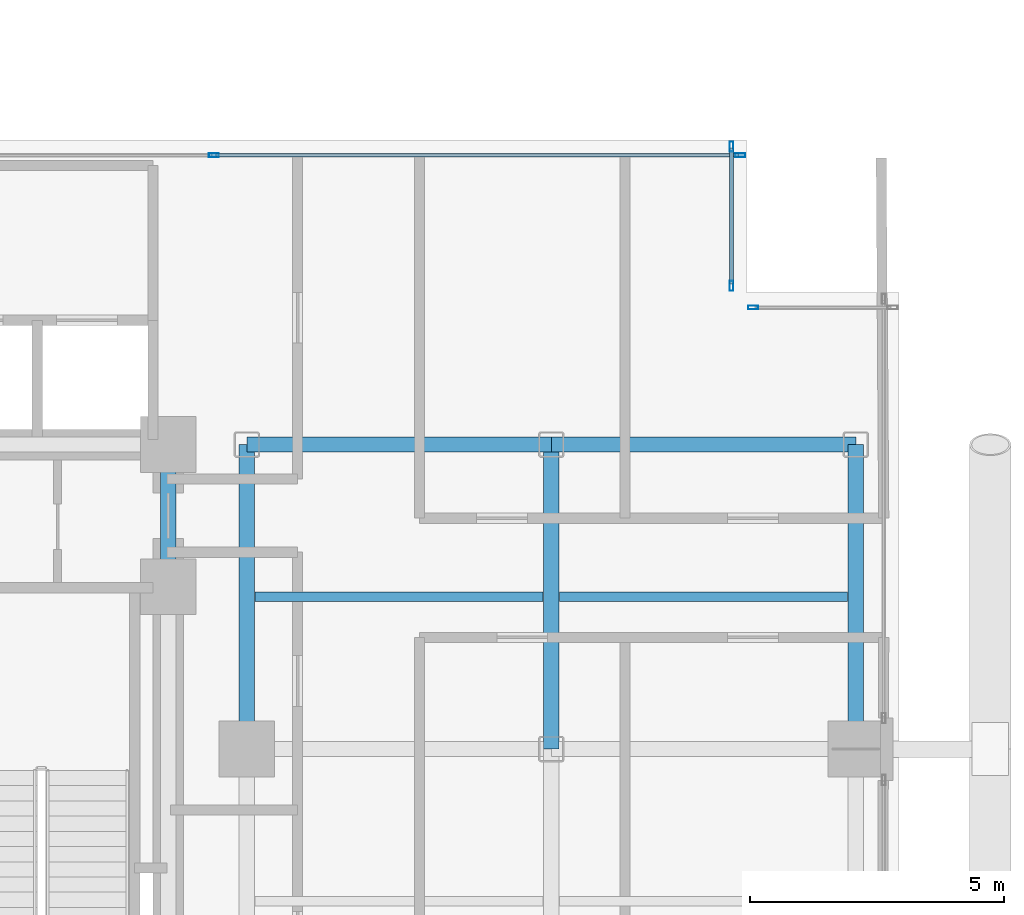
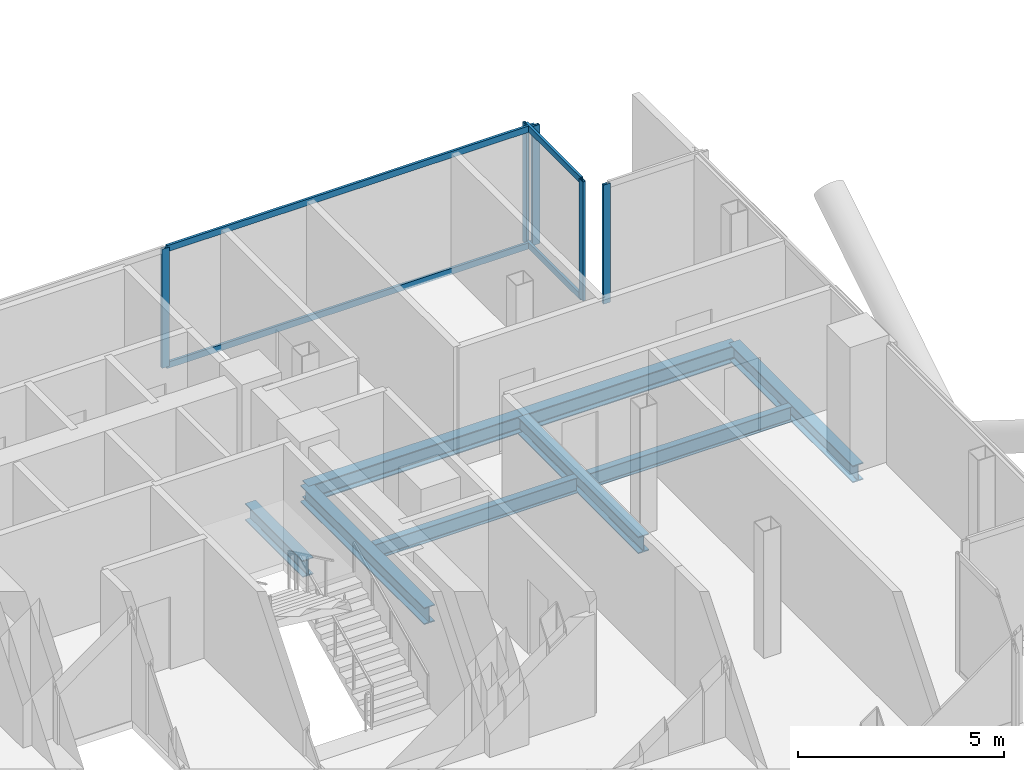
# One storey, part 12 of 24: 9 members, 8 beams, 3 elements without a shape of their own.
"""IFC4 building model written with IfcOpenShell, lengths in metres."""

from ifc_helpers import new_model, si_unit, direction, frame, origin, origin_2d, place, context, subcontext, project, spatial, hollow_rectangle, i_section, extrude, material, layer, layer_set, material_profile, profile_set, type_object, element, aggregate, save


model = new_model("IFC4")

# Units and contexts
model_context = context("Model", 3, precision=1e-05, world=origin(), true_north=direction((0.0, 1.0)))
body_context = subcontext(model_context, "Body", "Model", "MODEL_VIEW")
ifc_project = project(units=[si_unit("LENGTHUNIT", "METRE"), si_unit("AREAUNIT", "SQUARE_METRE"), si_unit("VOLUMEUNIT", "CUBIC_METRE"), si_unit("PLANEANGLEUNIT", "RADIAN"), si_unit("MASSUNIT", "GRAM", prefix="KILO"), si_unit("THERMODYNAMICTEMPERATUREUNIT", "KELVIN"), si_unit("POWERUNIT", "WATT")], contexts=[model_context])

# Site, building, storey
site_placement = place(None, origin())
site = spatial("IfcSite", under=ifc_project, at=site_placement, CompositionType="ELEMENT")
building_placement = place(site_placement, origin())
building = spatial("IfcBuilding", under=site, at=building_placement, Name="Svarakhadi Broadcast Tower", CompositionType="ELEMENT")
storey_placement = place(building_placement, frame((0.0, 0.0, 115.64990234375)))
storey = spatial("IfcBuildingStorey", under=building, at=storey_placement, Name="L27", CompositionType="ELEMENT", Elevation=115.64990234375)

# Beams
ifc_material_1 = material(Name="Steel S355J2 (IS 2062 E350C)", Category="steel")
ifc_material_profile_1 = material_profile(ifc_material_1, i_section(OverallWidth=0.18994140625, OverallDepth=0.449951171875, WebThickness=0.009521484375, FlangeThickness=0.0146484375, FilletRadius=0.02099609375, at=origin_2d()), Name="NPB 450x190x78")
ifc_profile_set_1 = profile_set([ifc_material_profile_1], Name="Steel S355J2 (IS 2062 E350C)")
beam_type_1 = type_object("IfcBeamType", Name="Beam_NPB450", PredefinedType="BEAM", material=ifc_profile_set_1)
for number, where, z_axis, x_axis, name in (
    (1, (35.31005859375, 15.0, -0.449951171875), (1.0, 0.0, 0.0), (0.0, 1.0, 0.0), "L27 Secondary Composite Beam SB021"),
    (2, (41.31005859375, 15.0, -0.449951171875), (1.0, 0.0, 0.0), (0.0, 1.0, 0.0), "L27 Secondary Composite Beam SB023"),
):
    element("IfcBeam", number, at=place(storey_placement, frame(where, z_axis=z_axis, x_axis=x_axis)), inside=storey, type_object=beam_type_1, Name=name, PredefinedType="BEAM", context=body_context, shape_type="SweptSolid", body=[
        extrude(i_section(OverallWidth=0.18994140625, OverallDepth=0.449951171875, WebThickness=0.009521484375, FlangeThickness=0.0146484375, FilletRadius=0.02099609375, at=origin_2d()), origin(), (0.0, 0.0, 1.0), 5.679931640625),
    ])

# Curtain wall, members
ifc_material_2 = material(Name="Anodised Bronze Aluminium AA 6063-T6", Category="aluminium")
ifc_layer = layer(ifc_material_2, 0.199951171875)
ifc_layer_set = layer_set([ifc_layer], Name="Anodised Bronze Aluminium AA 6063-T6")
curtain_wall_type = type_object("IfcCurtainWallType", Name="CW_Sys_03", PredefinedType="NOTDEFINED", material=ifc_layer_set)
curtain_wall_1_placement = place(storey_placement, origin())
curtain_wall_1 = element("IfcCurtainWall", 3, at=curtain_wall_1_placement, inside=storey, type_object=curtain_wall_type, Name="L27 Unitised Facade Curtain Wall 10", PredefinedType="NOTDEFINED")
ifc_material_profile_2 = material_profile(ifc_material_2, hollow_rectangle(XDim=0.074951171875, YDim=0.199951171875, WallThickness=0.005615234375, at=origin_2d()), Name="ALU MULLION 200x75x6")
ifc_profile_set_2 = profile_set([ifc_material_profile_2], Name="Anodised Bronze Aluminium AA 6063-T6")
member_type_1 = type_object("IfcMemberType", Name="CW_Sys_03_Mul", PredefinedType="MULLION", material=ifc_profile_set_2)
member_1_placement = place(storey_placement, frame((34.5, 23.699951171875, 0.0), z_axis=(0.0, 0.0, 1.0), x_axis=(0.0, 1.0, 0.0)))
member_1 = element("IfcMember", 4, at=member_1_placement, type_object=member_type_1, Name="CW-03 mullion 2", PredefinedType="MULLION", context=body_context, shape_type="SweptSolid", body=[
    extrude(hollow_rectangle(XDim=0.074951171875, YDim=0.199951171875, WallThickness=0.005615234375, at=origin_2d()), origin(), (0.0, 0.0, 1.0), 3.525146484375),
])
member_2_placement = place(storey_placement, frame((44.87255859375, 23.699951171875, 0.0), z_axis=(0.0, 0.0, 1.0), x_axis=(0.0, 1.0, 0.0)))
member_2 = element("IfcMember", 5, at=member_2_placement, type_object=member_type_1, Name="CW-03 mullion 3", PredefinedType="MULLION", context=body_context, shape_type="SweptSolid", body=[
    extrude(hollow_rectangle(XDim=0.074951171875, YDim=0.199951171875, WallThickness=0.005615234375, at=origin_2d()), origin(), (0.0, 0.0, 1.0), 3.525146484375),
])

curtain_wall_2_placement = place(storey_placement, origin())
curtain_wall_2 = element("IfcCurtainWall", 6, at=curtain_wall_2_placement, inside=storey, type_object=curtain_wall_type, Name="L27 Unitised Facade Curtain Wall 11", PredefinedType="NOTDEFINED")
member_3_placement = place(storey_placement, frame((44.699951171875, 23.87255859375, 0.0), z_axis=(0.0, 0.0, 1.0), x_axis=(1.0, 0.0, 0.0)))
member_3 = element("IfcMember", 7, at=member_3_placement, type_object=member_type_1, Name="CW-03 mullion 1", PredefinedType="MULLION", context=body_context, shape_type="SweptSolid", body=[
    extrude(hollow_rectangle(XDim=0.074951171875, YDim=0.199951171875, WallThickness=0.005615234375, at=origin_2d()), origin(), (0.0, 0.0, 1.0), 3.525146484375),
])
member_4_placement = place(storey_placement, frame((44.699951171875, 21.12744140625, 0.0), z_axis=(0.0, 0.0, 1.0), x_axis=(1.0, 0.0, 0.0)))
member_4 = element("IfcMember", 8, at=member_4_placement, type_object=member_type_1, Name="CW-03 mullion 2", PredefinedType="MULLION", context=body_context, shape_type="SweptSolid", body=[
    extrude(hollow_rectangle(XDim=0.074951171875, YDim=0.199951171875, WallThickness=0.005615234375, at=origin_2d()), origin(), (0.0, 0.0, 1.0), 3.525146484375),
])

# Curtain wall, member
curtain_wall_3_placement = place(storey_placement, origin())
curtain_wall_3 = element("IfcCurtainWall", 9, at=curtain_wall_3_placement, inside=storey, type_object=curtain_wall_type, Name="L27 Unitised Facade Curtain Wall 12", PredefinedType="NOTDEFINED")
member_5_placement = place(storey_placement, frame((45.12744140625, 20.699951171875, 0.0), z_axis=(0.0, 0.0, 1.0), x_axis=(0.0, 1.0, 0.0)))
member_5 = element("IfcMember", 10, at=member_5_placement, type_object=member_type_1, Name="CW-03 mullion 1", PredefinedType="MULLION", context=body_context, shape_type="SweptSolid", body=[
    extrude(hollow_rectangle(XDim=0.074951171875, YDim=0.199951171875, WallThickness=0.005615234375, at=origin_2d()), origin(), (0.0, 0.0, 1.0), 3.525146484375),
])
aggregate(curtain_wall_3, [member_5])

# Member
ifc_material_profile_3 = material_profile(ifc_material_2, hollow_rectangle(XDim=0.070068359375, YDim=0.18505859375, WallThickness=0.0048828125, at=origin_2d()), Name="ALU TRANSOM 185x70x5")
ifc_profile_set_3 = profile_set([ifc_material_profile_3], Name="Anodised Bronze Aluminium AA 6063-T6")
member_type_2 = type_object("IfcMemberType", Name="CW_Sys_03_Trn", PredefinedType="USERDEFINED", material=ifc_profile_set_3)
member_6_placement = place(storey_placement, frame((34.53759765625, 23.699951171875, 0.03515625), z_axis=(1.0, 0.0, 0.0), x_axis=(0.0, 1.0, 0.0)))
member_6 = element("IfcMember", 11, at=member_6_placement, type_object=member_type_2, Name="CW-03 transom 2.1", ObjectType="TRANSOM", PredefinedType="USERDEFINED", context=body_context, shape_type="SweptSolid", body=[
    extrude(hollow_rectangle(XDim=0.070068359375, YDim=0.18505859375, WallThickness=0.0048828125, at=origin_2d()), origin(), (0.0, 0.0, 1.0), 10.29736328125),
])

member_7_placement = place(storey_placement, frame((34.53759765625, 23.699951171875, 3.489990234375), z_axis=(1.0, 0.0, 0.0), x_axis=(0.0, 1.0, 0.0)))
member_7 = element("IfcMember", 12, at=member_7_placement, type_object=member_type_2, Name="CW-03 transom 2.2", ObjectType="TRANSOM", PredefinedType="USERDEFINED", context=body_context, shape_type="SweptSolid", body=[
    extrude(hollow_rectangle(XDim=0.070068359375, YDim=0.18505859375, WallThickness=0.0048828125, at=origin_2d()), origin(), (0.0, 0.0, 1.0), 10.29736328125),
])

aggregate(curtain_wall_1, [member_1, member_2, member_6, member_7])

member_8_placement = place(storey_placement, frame((44.699951171875, 23.8349609375, 0.03515625), z_axis=(0.0, -1.0, 0.0), x_axis=(1.0, 0.0, 0.0)))
member_8 = element("IfcMember", 13, at=member_8_placement, type_object=member_type_2, Name="CW-03 transom 1.1", ObjectType="TRANSOM", PredefinedType="USERDEFINED", context=body_context, shape_type="SweptSolid", body=[
    extrude(hollow_rectangle(XDim=0.070068359375, YDim=0.18505859375, WallThickness=0.0048828125, at=origin_2d()), origin(), (0.0, 0.0, 1.0), 2.669921875),
])

member_9_placement = place(storey_placement, frame((44.699951171875, 23.8349609375, 3.489990234375), z_axis=(0.0, -1.0, 0.0), x_axis=(1.0, 0.0, 0.0)))
member_9 = element("IfcMember", 14, at=member_9_placement, type_object=member_type_2, Name="CW-03 transom 1.2", ObjectType="TRANSOM", PredefinedType="USERDEFINED", context=body_context, shape_type="SweptSolid", body=[
    extrude(hollow_rectangle(XDim=0.070068359375, YDim=0.18505859375, WallThickness=0.0048828125, at=origin_2d()), origin(), (0.0, 0.0, 1.0), 2.669921875),
])

aggregate(curtain_wall_2, [member_3, member_4, member_8, member_9])

# Beams
ifc_material_profile_4 = material_profile(ifc_material_1, i_section(OverallWidth=0.300048828125, OverallDepth=0.5, WebThickness=0.014404296875, FlangeThickness=0.028076171875, FilletRadius=0.027099609375, at=origin_2d()), Name="WPB 500x300x187")
ifc_profile_set_4 = profile_set([ifc_material_profile_4], Name="Steel S355J2 (IS 2062 E350C)")
beam_type_2 = type_object("IfcBeamType", Name="Girder_WPB500", PredefinedType="USERDEFINED", material=ifc_profile_set_4)
for number, where, z_axis, x_axis, name in (
    (15, (35.14990234375, 18.0, -0.474853515625), (1.0, 0.0, 0.0), (0.0, 1.0, 0.0), "L27 Primary E-W Girder G028"),
    (16, (41.14990234375, 18.0, -0.474853515625), (1.0, 0.0, 0.0), (0.0, 1.0, 0.0), "L27 Primary E-W Girder G029"),
):
    element("IfcBeam", number, at=place(storey_placement, frame(where, z_axis=z_axis, x_axis=x_axis)), inside=storey, type_object=beam_type_2, Name=name, ObjectType="GIRDER", PredefinedType="USERDEFINED", context=body_context, shape_type="SweptSolid", body=[
        extrude(i_section(OverallWidth=0.300048828125, OverallDepth=0.5, WebThickness=0.014404296875, FlangeThickness=0.028076171875, FilletRadius=0.027099609375, at=origin_2d()), origin(), (0.0, 0.0, 1.0), 6.0),
    ])
beam_placement = place(storey_placement, frame((33.60009765625, 15.199951171875, -0.474853515625), z_axis=(0.0, 1.0, 0.0), x_axis=(-1.0, 0.0, 0.0)))
element("IfcBeam", 17, at=beam_placement, inside=storey, type_object=beam_type_2, Name="L27 Primary N-S Girder G066", ObjectType="GIRDER", PredefinedType="USERDEFINED", context=body_context, shape_type="SweptSolid", body=[
    extrude(i_section(OverallWidth=0.300048828125, OverallDepth=0.5, WebThickness=0.014404296875, FlangeThickness=0.028076171875, FilletRadius=0.027099609375, at=origin_2d()), origin(), (0.0, 0.0, 1.0), 2.800048828125),
])
for number, where, z_axis, x_axis, name in (
    (18, (35.14990234375, 12.0, -0.474853515625), (0.0, 1.0, 0.0), (-1.0, 0.0, 0.0), "L27 Primary N-S Girder G069"),
    (19, (41.14990234375, 12.0, -0.474853515625), (0.0, 1.0, 0.0), (-1.0, 0.0, 0.0), "L27 Primary N-S Girder G072"),
    (20, (47.14990234375, 12.0, -0.474853515625), (0.0, 1.0, 0.0), (-1.0, 0.0, 0.0), "L27 Primary N-S Girder G074"),
):
    element("IfcBeam", number, at=place(storey_placement, frame(where, z_axis=z_axis, x_axis=x_axis)), inside=storey, type_object=beam_type_2, Name=name, ObjectType="GIRDER", PredefinedType="USERDEFINED", context=body_context, shape_type="SweptSolid", body=[
        extrude(i_section(OverallWidth=0.300048828125, OverallDepth=0.5, WebThickness=0.014404296875, FlangeThickness=0.028076171875, FilletRadius=0.027099609375, at=origin_2d()), origin(), (0.0, 0.0, 1.0), 6.0),
    ])

save(model, "model.ifc")
